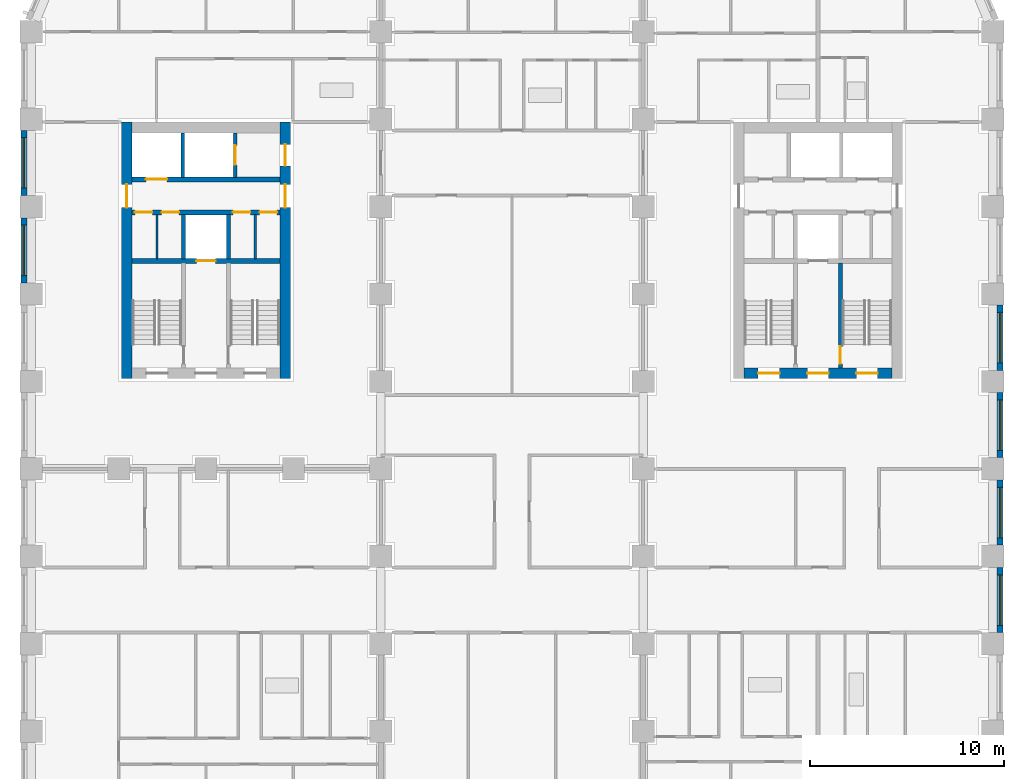
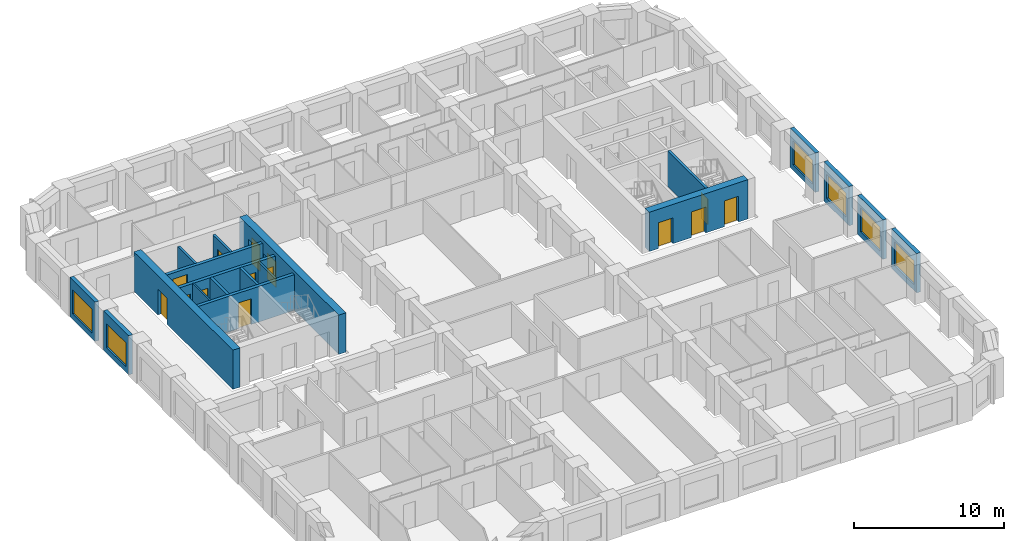
# One storey, part 6 of 13: 19 walls, 14 doors, 6 windows, 20 openings.
"""IFC4 building model written with IfcOpenShell, lengths in metres."""

from ifc_helpers import new_model, si_unit, direction, frame, frame_2d, origin, place, context, subcontext, project, spatial, rectangle, extrude, material, layer, layer_set, type_object, element, fill, save


model = new_model("IFC4")

# Units and contexts
model_context = context("Model", 3, precision=1e-05, world=origin(), true_north=direction((0.0, 1.0)))
body_context = subcontext(model_context, "Body", "Model", "MODEL_VIEW")
ifc_project = project(units=[si_unit("LENGTHUNIT", "METRE"), si_unit("AREAUNIT", "SQUARE_METRE"), si_unit("VOLUMEUNIT", "CUBIC_METRE"), si_unit("PLANEANGLEUNIT", "RADIAN"), si_unit("MASSUNIT", "GRAM", prefix="KILO")], contexts=[model_context])

# Site, building, storey
site_placement = place(None, origin())
site = spatial("IfcSite", under=ifc_project, at=site_placement, CompositionType="ELEMENT")
building_placement = place(site_placement, origin())
building = spatial("IfcBuilding", under=site, at=building_placement, Name="Girih Gate Residences", CompositionType="ELEMENT")
storey_placement = place(building_placement, frame((0.0, 0.0, 80.0)))
storey = spatial("IfcBuildingStorey", under=building, at=storey_placement, Name="L21", CompositionType="ELEMENT", Elevation=80.0)

# Wall, opening, door
ifc_material_1 = material(Name="Concrete C60/75", Category="concrete")
ifc_layer_1 = layer(ifc_material_1, 0.550048828125)
ifc_layer_set_1 = layer_set([ifc_layer_1], Name="Core wall RC 550 Concrete C60/75")
wall_type_1 = type_object("IfcWallType", Name="Core wall RC 550 Concrete C60/75", PredefinedType="SOLIDWALL", material=ifc_layer_set_1)
wall_1_placement = place(storey_placement, frame((4.925048828125, 27.14990234375, 0.0), z_axis=(0.0, 0.0, 1.0), x_axis=(0.0, 1.0, 0.0)))
wall_1 = element("IfcWall", 1, at=wall_1_placement, inside=storey, type_object=wall_type_1, Name="Core wall W-W L21", PredefinedType="SOLIDWALL", context=body_context, shape_type="SweptSolid", body=[
    extrude(rectangle(XDim=13.2001953125, YDim=0.550048828125, at=frame_2d((6.60009765625, 0.0))), origin(), (0.0, 0.0, 1.0), 3.199951171875),
])
opening_1_placement = place(wall_1_placement, frame((8.800048828125, 0.0, 0.0)))
opening_1 = element("IfcOpeningElement", 2, at=opening_1_placement, cuts=wall_1, Name="Opening D-L21-W-014", PredefinedType="OPENING", context=body_context, shape_type="SweptSolid", body=[
    extrude(rectangle(XDim=1.199951171875, YDim=2.10009765625, at=frame_2d((0.60009765625, 1.050048828125))), frame((0.0, 0.284912109375, 0.0), z_axis=(0.0, -1.0, 0.0), x_axis=(1.0, 0.0, 0.0)), (0.0, 0.0, 1.0), 0.570068359375),
])
ifc_material_2 = material(Name="Painted steel, fire-resisting", Category="steel")
door_type_1 = type_object("IfcDoorType", Name="Fire door 1200x2100", OperationType="SINGLE_SWING_LEFT", PredefinedType="DOOR", material=ifc_material_2)
door_1_placement = place(opening_1_placement, origin())
door_1 = element("IfcDoor", 3, at=door_1_placement, inside=storey, type_object=door_type_1, Name="L21 W core door ll-w", OperationType="SINGLE_SWING_LEFT", OverallHeight=2.10009765625, OverallWidth=1.199951171875, PredefinedType="DOOR", context=body_context, shape_type="SweptSolid", body=[
    extrude(rectangle(XDim=1.199951171875, YDim=2.10009765625, at=frame_2d((0.60009765625, 1.050048828125))), frame((0.0, 0.02490234375, 0.0), z_axis=(0.0, -1.0, 0.0), x_axis=(1.0, 0.0, 0.0)), (0.0, 0.0, 1.0), 0.050048828125),
])
fill(opening_1, door_1)

# Wall, openings, doors
wall_2_placement = place(storey_placement, frame((13.074951171875, 27.14990234375, 0.0), z_axis=(0.0, 0.0, 1.0), x_axis=(0.0, 1.0, 0.0)))
wall_2 = element("IfcWall", 4, at=wall_2_placement, inside=storey, type_object=wall_type_1, Name="Core wall W-E L21", PredefinedType="SOLIDWALL", context=body_context, shape_type="SweptSolid", body=[
    extrude(rectangle(XDim=13.2001953125, YDim=0.550048828125, at=frame_2d((6.60009765625, 0.0))), origin(), (0.0, 0.0, 1.0), 3.199951171875),
])
opening_2_placement = place(wall_2_placement, frame((10.949951171875, 0.0, 0.0)))
opening_2 = element("IfcOpeningElement", 5, at=opening_2_placement, cuts=wall_2, Name="Opening D-L21-W-013", PredefinedType="OPENING", context=body_context, shape_type="SweptSolid", body=[
    extrude(rectangle(XDim=1.10009765625, YDim=2.10009765625, at=frame_2d((0.550048828125, 1.050048828125))), frame((0.0, 0.284912109375, 0.0), z_axis=(0.0, -1.0, 0.0), x_axis=(1.0, 0.0, 0.0)), (0.0, 0.0, 1.0), 0.570068359375),
])
opening_3_placement = place(wall_2_placement, frame((8.800048828125, 0.0, 0.0)))
opening_3 = element("IfcOpeningElement", 6, at=opening_3_placement, cuts=wall_2, Name="Opening D-L21-W-015", PredefinedType="OPENING", context=body_context, shape_type="SweptSolid", body=[
    extrude(rectangle(XDim=1.199951171875, YDim=2.10009765625, at=frame_2d((0.60009765625, 1.050048828125))), frame((0.0, 0.284912109375, 0.0), z_axis=(0.0, -1.0, 0.0), x_axis=(1.0, 0.0, 0.0)), (0.0, 0.0, 1.0), 0.570068359375),
])
door_type_2 = type_object("IfcDoorType", Name="Fire door 1100x2100", OperationType="SINGLE_SWING_LEFT", PredefinedType="DOOR", material=ifc_material_2)
door_2_placement = place(opening_2_placement, origin())
door_2 = element("IfcDoor", 7, at=door_2_placement, inside=storey, type_object=door_type_2, Name="L21 W core door ffl2-e", OperationType="SINGLE_SWING_LEFT", OverallHeight=2.10009765625, OverallWidth=1.10009765625, PredefinedType="DOOR", context=body_context, shape_type="SweptSolid", body=[
    extrude(rectangle(XDim=1.10009765625, YDim=2.10009765625, at=frame_2d((0.550048828125, 1.050048828125))), frame((0.0, 0.02490234375, 0.0), z_axis=(0.0, -1.0, 0.0), x_axis=(1.0, 0.0, 0.0)), (0.0, 0.0, 1.0), 0.050048828125),
])
fill(opening_2, door_2)
door_3_placement = place(opening_3_placement, origin())
door_3 = element("IfcDoor", 8, at=door_3_placement, inside=storey, type_object=door_type_1, Name="L21 W core door ll-e", OperationType="SINGLE_SWING_LEFT", OverallHeight=2.10009765625, OverallWidth=1.199951171875, PredefinedType="DOOR", context=body_context, shape_type="SweptSolid", body=[
    extrude(rectangle(XDim=1.199951171875, YDim=2.10009765625, at=frame_2d((0.60009765625, 1.050048828125))), frame((0.0, 0.02490234375, 0.0), z_axis=(0.0, -1.0, 0.0), x_axis=(1.0, 0.0, 0.0)), (0.0, 0.0, 1.0), 0.050048828125),
])
fill(opening_3, door_3)

wall_3_placement = place(storey_placement, frame((36.699951171875, 27.425048828125, 0.0), z_axis=(0.0, 0.0, 1.0), x_axis=(1.0, 0.0, 0.0)))
wall_3 = element("IfcWall", 9, at=wall_3_placement, inside=storey, type_object=wall_type_1, Name="Core wall E-S L21", PredefinedType="SOLIDWALL", context=body_context, shape_type="SweptSolid", body=[
    extrude(rectangle(XDim=7.60009765625, YDim=0.550048828125, at=frame_2d((3.800048828125, 0.0))), origin(), (0.0, 0.0, 1.0), 3.199951171875),
])
opening_4_placement = place(wall_3_placement, frame((5.77490234375, 0.0, 0.0)))
opening_4 = element("IfcOpeningElement", 10, at=opening_4_placement, cuts=wall_3, Name="Opening D-L21-E-011", PredefinedType="OPENING", context=body_context, shape_type="SweptSolid", body=[
    extrude(rectangle(XDim=1.10009765625, YDim=2.10009765625, at=frame_2d((0.550048828125, 1.050048828125))), frame((0.0, 0.284912109375, 0.0), z_axis=(0.0, -1.0, 0.0), x_axis=(1.0, 0.0, 0.0)), (0.0, 0.0, 1.0), 0.570068359375),
])
opening_5_placement = place(wall_3_placement, frame((3.25, 0.0, 0.0)))
opening_5 = element("IfcOpeningElement", 11, at=opening_5_placement, cuts=wall_3, Name="Opening D-L21-E-012", PredefinedType="OPENING", context=body_context, shape_type="SweptSolid", body=[
    extrude(rectangle(XDim=1.10009765625, YDim=2.10009765625, at=frame_2d((0.550048828125, 1.050048828125))), frame((0.0, 0.284912109375, 0.0), z_axis=(0.0, -1.0, 0.0), x_axis=(1.0, 0.0, 0.0)), (0.0, 0.0, 1.0), 0.570068359375),
])
opening_6_placement = place(wall_3_placement, frame((0.72509765625, 0.0, 0.0)))
opening_6 = element("IfcOpeningElement", 12, at=opening_6_placement, cuts=wall_3, Name="Opening D-L21-E-013", PredefinedType="OPENING", context=body_context, shape_type="SweptSolid", body=[
    extrude(rectangle(XDim=1.10009765625, YDim=2.10009765625, at=frame_2d((0.550048828125, 1.050048828125))), frame((0.0, 0.284912109375, 0.0), z_axis=(0.0, -1.0, 0.0), x_axis=(1.0, 0.0, 0.0)), (0.0, 0.0, 1.0), 0.570068359375),
])
door_4_placement = place(opening_4_placement, origin())
door_4 = element("IfcDoor", 13, at=door_4_placement, inside=storey, type_object=door_type_2, Name="L21 E core door sta-out", OperationType="SINGLE_SWING_LEFT", OverallHeight=2.10009765625, OverallWidth=1.10009765625, PredefinedType="DOOR", context=body_context, shape_type="SweptSolid", body=[
    extrude(rectangle(XDim=1.10009765625, YDim=2.10009765625, at=frame_2d((0.550048828125, 1.050048828125))), frame((0.0, 0.02490234375, 0.0), z_axis=(0.0, -1.0, 0.0), x_axis=(1.0, 0.0, 0.0)), (0.0, 0.0, 1.0), 0.050048828125),
])
fill(opening_4, door_4)
door_5_placement = place(opening_5_placement, origin())
door_5 = element("IfcDoor", 14, at=door_5_placement, inside=storey, type_object=door_type_2, Name="L21 E core door ffl-out", OperationType="SINGLE_SWING_LEFT", OverallHeight=2.10009765625, OverallWidth=1.10009765625, PredefinedType="DOOR", context=body_context, shape_type="SweptSolid", body=[
    extrude(rectangle(XDim=1.10009765625, YDim=2.10009765625, at=frame_2d((0.550048828125, 1.050048828125))), frame((0.0, 0.02490234375, 0.0), z_axis=(0.0, -1.0, 0.0), x_axis=(1.0, 0.0, 0.0)), (0.0, 0.0, 1.0), 0.050048828125),
])
fill(opening_5, door_5)
door_6_placement = place(opening_6_placement, origin())
door_6 = element("IfcDoor", 15, at=door_6_placement, inside=storey, type_object=door_type_2, Name="L21 E core door stb-out", OperationType="SINGLE_SWING_LEFT", OverallHeight=2.10009765625, OverallWidth=1.10009765625, PredefinedType="DOOR", context=body_context, shape_type="SweptSolid", body=[
    extrude(rectangle(XDim=1.10009765625, YDim=2.10009765625, at=frame_2d((0.550048828125, 1.050048828125))), frame((0.0, 0.02490234375, 0.0), z_axis=(0.0, -1.0, 0.0), x_axis=(1.0, 0.0, 0.0)), (0.0, 0.0, 1.0), 0.050048828125),
])
fill(opening_6, door_6)

# Wall, opening, door
ifc_material_3 = material(Name="Concrete C40/50", Category="concrete")
ifc_layer_2 = layer(ifc_material_3, 0.25)
ifc_layer_set_2 = layer_set([ifc_layer_2], Name="Lift shaft wall 250")
wall_type_2 = type_object("IfcWallType", Name="Lift shaft wall 250", PredefinedType="SOLIDWALL", material=ifc_layer_set_2)
wall_4_placement = place(storey_placement, frame((5.199951171875, 33.199951171875, 0.0), z_axis=(0.0, 0.0, 1.0), x_axis=(1.0, 0.0, 0.0)))
wall_4 = element("IfcWall", 16, at=wall_4_placement, inside=storey, type_object=wall_type_2, Name="L21 W core wall H1", PredefinedType="SOLIDWALL", context=body_context, shape_type="SweptSolid", body=[
    extrude(rectangle(XDim=7.60009765625, YDim=0.25, at=frame_2d((3.800048828125, 0.0))), origin(), (0.0, 0.0, 1.0), 2.89990234375),
])
opening_7_placement = place(wall_4_placement, frame((3.300048828125, 0.0, 0.0)))
opening_7 = element("IfcOpeningElement", 17, at=opening_7_placement, cuts=wall_4, Name="Opening D-L21-W-005", PredefinedType="OPENING", context=body_context, shape_type="SweptSolid", body=[
    extrude(rectangle(XDim=1.0, YDim=2.10009765625, at=frame_2d((0.5, 1.050048828125))), frame((0.0, 0.135009765625, 0.0), z_axis=(0.0, -1.0, 0.0), x_axis=(1.0, 0.0, 0.0)), (0.0, 0.0, 1.0), 0.27001953125),
])
ifc_material_4 = material(Name="Stainless steel, fire-resisting", Category="steel")
door_type_3 = type_object("IfcDoorType", Name="Firefighting lift landing door 1000x2100", OperationType="SLIDING_TO_LEFT", PredefinedType="DOOR", material=ifc_material_4)
door_7_placement = place(opening_7_placement, origin())
door_7 = element("IfcDoor", 18, at=door_7_placement, inside=storey, type_object=door_type_3, Name="L21 lift FF-W landing door", OperationType="SLIDING_TO_LEFT", OverallHeight=2.10009765625, OverallWidth=1.0, PredefinedType="DOOR", context=body_context, shape_type="SweptSolid", body=[
    extrude(rectangle(XDim=1.0, YDim=2.10009765625, at=frame_2d((0.5, 1.050048828125))), frame((0.0, 0.02490234375, 0.0), z_axis=(0.0, -1.0, 0.0), x_axis=(1.0, 0.0, 0.0)), (0.0, 0.0, 1.0), 0.050048828125),
])
fill(opening_7, door_7)

# Wall, openings, doors
wall_5_placement = place(storey_placement, frame((5.199951171875, 35.699951171875, 0.0), z_axis=(0.0, 0.0, 1.0), x_axis=(1.0, 0.0, 0.0)))
wall_5 = element("IfcWall", 19, at=wall_5_placement, inside=storey, type_object=wall_type_2, Name="L21 W core wall H2", PredefinedType="SOLIDWALL", context=body_context, shape_type="SweptSolid", body=[
    extrude(rectangle(XDim=7.60009765625, YDim=0.25, at=frame_2d((3.800048828125, 0.0))), origin(), (0.0, 0.0, 1.0), 2.89990234375),
])
opening_8_placement = place(wall_5_placement, frame((0.137451171875, 0.0, 0.0)))
opening_8 = element("IfcOpeningElement", 20, at=opening_8_placement, cuts=wall_5, Name="Opening D-L21-W-006", PredefinedType="OPENING", context=body_context, shape_type="SweptSolid", body=[
    extrude(rectangle(XDim=0.89990234375, YDim=2.10009765625, at=frame_2d((0.449951171875, 1.050048828125))), frame((0.0, 0.135009765625, 0.0), z_axis=(0.0, -1.0, 0.0), x_axis=(1.0, 0.0, 0.0)), (0.0, 0.0, 1.0), 0.27001953125),
])
opening_9_placement = place(wall_5_placement, frame((1.512451171875, 0.0, 0.0)))
opening_9 = element("IfcOpeningElement", 21, at=opening_9_placement, cuts=wall_5, Name="Opening D-L21-W-007", PredefinedType="OPENING", context=body_context, shape_type="SweptSolid", body=[
    extrude(rectangle(XDim=0.89990234375, YDim=2.10009765625, at=frame_2d((0.449951171875, 1.050048828125))), frame((0.0, 0.135009765625, 0.0), z_axis=(0.0, -1.0, 0.0), x_axis=(1.0, 0.0, 0.0)), (0.0, 0.0, 1.0), 0.27001953125),
])
opening_10_placement = place(wall_5_placement, frame((5.1875, 0.0, 0.0)))
opening_10 = element("IfcOpeningElement", 22, at=opening_10_placement, cuts=wall_5, Name="Opening D-L21-W-008", PredefinedType="OPENING", context=body_context, shape_type="SweptSolid", body=[
    extrude(rectangle(XDim=0.89990234375, YDim=2.10009765625, at=frame_2d((0.449951171875, 1.050048828125))), frame((0.0, 0.135009765625, 0.0), z_axis=(0.0, -1.0, 0.0), x_axis=(1.0, 0.0, 0.0)), (0.0, 0.0, 1.0), 0.27001953125),
])
opening_11_placement = place(wall_5_placement, frame((6.5625, 0.0, 0.0)))
opening_11 = element("IfcOpeningElement", 23, at=opening_11_placement, cuts=wall_5, Name="Opening D-L21-W-009", PredefinedType="OPENING", context=body_context, shape_type="SweptSolid", body=[
    extrude(rectangle(XDim=0.89990234375, YDim=2.10009765625, at=frame_2d((0.449951171875, 1.050048828125))), frame((0.0, 0.135009765625, 0.0), z_axis=(0.0, -1.0, 0.0), x_axis=(1.0, 0.0, 0.0)), (0.0, 0.0, 1.0), 0.27001953125),
])
door_type_4 = type_object("IfcDoorType", Name="Fire door 900x2100", OperationType="SINGLE_SWING_LEFT", PredefinedType="DOOR", material=ifc_material_2)
door_8_placement = place(opening_8_placement, origin())
door_8 = element("IfcDoor", 24, at=door_8_placement, inside=storey, type_object=door_type_4, Name="L21 W riser room door", OperationType="SINGLE_SWING_LEFT", OverallHeight=2.10009765625, OverallWidth=0.89990234375, PredefinedType="DOOR", context=body_context, shape_type="SweptSolid", body=[
    extrude(rectangle(XDim=0.89990234375, YDim=2.10009765625, at=frame_2d((0.449951171875, 1.050048828125))), frame((0.0, 0.02490234375, 0.0), z_axis=(0.0, -1.0, 0.0), x_axis=(1.0, 0.0, 0.0)), (0.0, 0.0, 1.0), 0.050048828125),
])
fill(opening_8, door_8)
door_9_placement = place(opening_9_placement, origin())
door_9 = element("IfcDoor", 25, at=door_9_placement, inside=storey, type_object=door_type_4, Name="L21 W linen store door", OperationType="SINGLE_SWING_LEFT", OverallHeight=2.10009765625, OverallWidth=0.89990234375, PredefinedType="DOOR", context=body_context, shape_type="SweptSolid", body=[
    extrude(rectangle(XDim=0.89990234375, YDim=2.10009765625, at=frame_2d((0.449951171875, 1.050048828125))), frame((0.0, 0.02490234375, 0.0), z_axis=(0.0, -1.0, 0.0), x_axis=(1.0, 0.0, 0.0)), (0.0, 0.0, 1.0), 0.050048828125),
])
fill(opening_9, door_9)
door_10_placement = place(opening_10_placement, origin())
door_10 = element("IfcDoor", 26, at=door_10_placement, inside=storey, type_object=door_type_4, Name="L21 W linen store door", OperationType="SINGLE_SWING_LEFT", OverallHeight=2.10009765625, OverallWidth=0.89990234375, PredefinedType="DOOR", context=body_context, shape_type="SweptSolid", body=[
    extrude(rectangle(XDim=0.89990234375, YDim=2.10009765625, at=frame_2d((0.449951171875, 1.050048828125))), frame((0.0, 0.02490234375, 0.0), z_axis=(0.0, -1.0, 0.0), x_axis=(1.0, 0.0, 0.0)), (0.0, 0.0, 1.0), 0.050048828125),
])
fill(opening_10, door_10)
door_11_placement = place(opening_11_placement, origin())
door_11 = element("IfcDoor", 27, at=door_11_placement, inside=storey, type_object=door_type_4, Name="L21 W housekeeping store door", OperationType="SINGLE_SWING_LEFT", OverallHeight=2.10009765625, OverallWidth=0.89990234375, PredefinedType="DOOR", context=body_context, shape_type="SweptSolid", body=[
    extrude(rectangle(XDim=0.89990234375, YDim=2.10009765625, at=frame_2d((0.449951171875, 1.050048828125))), frame((0.0, 0.02490234375, 0.0), z_axis=(0.0, -1.0, 0.0), x_axis=(1.0, 0.0, 0.0)), (0.0, 0.0, 1.0), 0.050048828125),
])
fill(opening_11, door_11)

# Wall, opening, door
wall_6_placement = place(storey_placement, frame((5.199951171875, 37.39990234375, 0.0), z_axis=(0.0, 0.0, 1.0), x_axis=(1.0, 0.0, 0.0)))
wall_6 = element("IfcWall", 28, at=wall_6_placement, inside=storey, type_object=wall_type_2, Name="L21 W core wall H3", PredefinedType="SOLIDWALL", context=body_context, shape_type="SweptSolid", body=[
    extrude(rectangle(XDim=7.60009765625, YDim=0.25, at=frame_2d((3.800048828125, 0.0))), origin(), (0.0, 0.0, 1.0), 2.89990234375),
])
opening_12_placement = place(wall_6_placement, frame((0.699951171875, 0.0, 0.0)))
opening_12 = element("IfcOpeningElement", 29, at=opening_12_placement, cuts=wall_6, Name="Opening D-L21-W-003", PredefinedType="OPENING", context=body_context, shape_type="SweptSolid", body=[
    extrude(rectangle(XDim=1.10009765625, YDim=2.39990234375, at=frame_2d((0.550048828125, 1.199951171875))), frame((0.0, 0.135009765625, 0.0), z_axis=(0.0, -1.0, 0.0), x_axis=(1.0, 0.0, 0.0)), (0.0, 0.0, 1.0), 0.27001953125),
])
ifc_material_5 = material(Name="Stainless steel", Category="steel")
door_type_5 = type_object("IfcDoorType", Name="Lift landing door 1100x2400", OperationType="SLIDING_TO_LEFT", PredefinedType="DOOR", material=ifc_material_5)
door_12_placement = place(opening_12_placement, origin())
door_12 = element("IfcDoor", 30, at=door_12_placement, inside=storey, type_object=door_type_5, Name="L21 lift LR-W1 landing door", OperationType="SLIDING_TO_LEFT", OverallHeight=2.39990234375, OverallWidth=1.10009765625, PredefinedType="DOOR", context=body_context, shape_type="SweptSolid", body=[
    extrude(rectangle(XDim=1.10009765625, YDim=2.39990234375, at=frame_2d((0.550048828125, 1.199951171875))), frame((0.0, 0.02490234375, 0.0), z_axis=(0.0, -1.0, 0.0), x_axis=(1.0, 0.0, 0.0)), (0.0, 0.0, 1.0), 0.050048828125),
])
fill(opening_12, door_12)

# Wall, opening, window
ifc_material_6 = material(Name="Precast concrete C50/60", Category="concrete")
ifc_layer_3 = layer(ifc_material_6, 0.080078125, Name="Outer leaf")
ifc_material_7 = material(Name="Rigid PIR insulation")
ifc_layer_4 = layer(ifc_material_7, 0.14990234375, Name="Insulation")
ifc_material_8 = material(Name="Precast concrete C40/50", Category="concrete")
ifc_layer_5 = layer(ifc_material_8, 0.070068359375, Name="Inner leaf")
ifc_layer_set_3 = layer_set([ifc_layer_3, ifc_layer_4, ifc_layer_5], Name="Precast concrete C50/60 external wall 300")
wall_type_3 = type_object("IfcWallType", Name="Precast concrete C50/60 external wall 300", PredefinedType="SOLIDWALL", material=ifc_layer_set_3)
wall_7_placement = place(storey_placement, frame((49.875, 17.425048828125, 0.0), z_axis=(0.0, 0.0, 1.0), x_axis=(0.0, -1.0, 0.0)))
wall_7 = element("IfcWall", 31, at=wall_7_placement, inside=storey, type_object=wall_type_3, Name="External wall E0495_0045.2", PredefinedType="SOLIDWALL", context=body_context, shape_type="SweptSolid", body=[
    extrude(rectangle(XDim=3.35009765625, YDim=0.300048828125, at=frame_2d((1.675048828125, 0.0))), origin(), (0.0, 0.0, 1.0), 3.199951171875),
])
opening_13_placement = place(wall_7_placement, frame((0.375, 0.0, 0.449951171875)))
opening_13 = element("IfcOpeningElement", 32, at=opening_13_placement, cuts=wall_7, Name="Opening W-1A", PredefinedType="OPENING", context=body_context, shape_type="SweptSolid", body=[
    extrude(rectangle(XDim=2.60009765625, YDim=1.949951171875, at=frame_2d((1.300048828125, 0.97509765625))), frame((0.0, 0.159912109375, 0.0), z_axis=(0.0, -1.0, 0.0), x_axis=(1.0, 0.0, 0.0)), (0.0, 0.0, 1.0), 0.320068359375),
])
ifc_material_9 = material(Name="Double glazing in aluminium frame", Category="aluminium")
window_type = type_object("IfcWindowType", Name="Window W-1A 2600x1950", PartitioningType="SINGLE_PANEL", PredefinedType="WINDOW", material=ifc_material_9)
window_1_placement = place(opening_13_placement, origin())
window_1 = element("IfcWindow", 33, at=window_1_placement, inside=storey, type_object=window_type, Name="Window W-1A E0495_0045.2", OverallHeight=1.949951171875, OverallWidth=2.60009765625, PartitioningType="SINGLE_PANEL", PredefinedType="WINDOW", context=body_context, shape_type="SweptSolid", body=[
    extrude(rectangle(XDim=2.60009765625, YDim=1.949951171875, at=frame_2d((1.300048828125, 0.97509765625))), frame((0.0, 0.030029296875, 0.0), z_axis=(0.0, -1.0, 0.0), x_axis=(1.0, 0.0, 0.0)), (0.0, 0.0, 1.0), 0.06005859375),
])
fill(opening_13, window_1)

wall_8_placement = place(storey_placement, frame((49.875, 21.925048828125, 0.0), z_axis=(0.0, 0.0, 1.0), x_axis=(0.0, -1.0, 0.0)))
wall_8 = element("IfcWall", 34, at=wall_8_placement, inside=storey, type_object=wall_type_3, Name="External wall E0495_0045.3", PredefinedType="SOLIDWALL", context=body_context, shape_type="SweptSolid", body=[
    extrude(rectangle(XDim=3.35009765625, YDim=0.300048828125, at=frame_2d((1.675048828125, 0.0))), origin(), (0.0, 0.0, 1.0), 3.199951171875),
])
opening_14_placement = place(wall_8_placement, frame((0.375, 0.0, 0.449951171875)))
opening_14 = element("IfcOpeningElement", 35, at=opening_14_placement, cuts=wall_8, Name="Opening W-1A", PredefinedType="OPENING", context=body_context, shape_type="SweptSolid", body=[
    extrude(rectangle(XDim=2.60009765625, YDim=1.949951171875, at=frame_2d((1.300048828125, 0.97509765625))), frame((0.0, 0.159912109375, 0.0), z_axis=(0.0, -1.0, 0.0), x_axis=(1.0, 0.0, 0.0)), (0.0, 0.0, 1.0), 0.320068359375),
])
window_2_placement = place(opening_14_placement, origin())
window_2 = element("IfcWindow", 36, at=window_2_placement, inside=storey, type_object=window_type, Name="Window W-1A E0495_0045.3", OverallHeight=1.949951171875, OverallWidth=2.60009765625, PartitioningType="SINGLE_PANEL", PredefinedType="WINDOW", context=body_context, shape_type="SweptSolid", body=[
    extrude(rectangle(XDim=2.60009765625, YDim=1.949951171875, at=frame_2d((1.300048828125, 0.97509765625))), frame((0.0, 0.030029296875, 0.0), z_axis=(0.0, -1.0, 0.0), x_axis=(1.0, 0.0, 0.0)), (0.0, 0.0, 1.0), 0.06005859375),
])
fill(opening_14, window_2)

wall_9_placement = place(storey_placement, frame((49.875, 26.425048828125, 0.0), z_axis=(0.0, 0.0, 1.0), x_axis=(0.0, -1.0, 0.0)))
wall_9 = element("IfcWall", 37, at=wall_9_placement, inside=storey, type_object=wall_type_3, Name="External wall E0495_0045.4", PredefinedType="SOLIDWALL", context=body_context, shape_type="SweptSolid", body=[
    extrude(rectangle(XDim=3.35009765625, YDim=0.300048828125, at=frame_2d((1.675048828125, 0.0))), origin(), (0.0, 0.0, 1.0), 3.199951171875),
])
opening_15_placement = place(wall_9_placement, frame((0.375, 0.0, 0.449951171875)))
opening_15 = element("IfcOpeningElement", 38, at=opening_15_placement, cuts=wall_9, Name="Opening W-1A", PredefinedType="OPENING", context=body_context, shape_type="SweptSolid", body=[
    extrude(rectangle(XDim=2.60009765625, YDim=1.949951171875, at=frame_2d((1.300048828125, 0.97509765625))), frame((0.0, 0.159912109375, 0.0), z_axis=(0.0, -1.0, 0.0), x_axis=(1.0, 0.0, 0.0)), (0.0, 0.0, 1.0), 0.320068359375),
])
window_3_placement = place(opening_15_placement, origin())
window_3 = element("IfcWindow", 39, at=window_3_placement, inside=storey, type_object=window_type, Name="Window W-1A E0495_0045.4", OverallHeight=1.949951171875, OverallWidth=2.60009765625, PartitioningType="SINGLE_PANEL", PredefinedType="WINDOW", context=body_context, shape_type="SweptSolid", body=[
    extrude(rectangle(XDim=2.60009765625, YDim=1.949951171875, at=frame_2d((1.300048828125, 0.97509765625))), frame((0.0, 0.030029296875, 0.0), z_axis=(0.0, -1.0, 0.0), x_axis=(1.0, 0.0, 0.0)), (0.0, 0.0, 1.0), 0.06005859375),
])
fill(opening_15, window_3)

wall_10_placement = place(storey_placement, frame((49.875, 30.925048828125, 0.0), z_axis=(0.0, 0.0, 1.0), x_axis=(0.0, -1.0, 0.0)))
wall_10 = element("IfcWall", 40, at=wall_10_placement, inside=storey, type_object=wall_type_3, Name="External wall E0495_0045.5", PredefinedType="SOLIDWALL", context=body_context, shape_type="SweptSolid", body=[
    extrude(rectangle(XDim=3.35009765625, YDim=0.300048828125, at=frame_2d((1.675048828125, 0.0))), origin(), (0.0, 0.0, 1.0), 3.199951171875),
])
opening_16_placement = place(wall_10_placement, frame((0.375, 0.0, 0.449951171875)))
opening_16 = element("IfcOpeningElement", 41, at=opening_16_placement, cuts=wall_10, Name="Opening W-1A", PredefinedType="OPENING", context=body_context, shape_type="SweptSolid", body=[
    extrude(rectangle(XDim=2.60009765625, YDim=1.949951171875, at=frame_2d((1.300048828125, 0.97509765625))), frame((0.0, 0.159912109375, 0.0), z_axis=(0.0, -1.0, 0.0), x_axis=(1.0, 0.0, 0.0)), (0.0, 0.0, 1.0), 0.320068359375),
])
window_4_placement = place(opening_16_placement, origin())
window_4 = element("IfcWindow", 42, at=window_4_placement, inside=storey, type_object=window_type, Name="Window W-1A E0495_0045.5", OverallHeight=1.949951171875, OverallWidth=2.60009765625, PartitioningType="SINGLE_PANEL", PredefinedType="WINDOW", context=body_context, shape_type="SweptSolid", body=[
    extrude(rectangle(XDim=2.60009765625, YDim=1.949951171875, at=frame_2d((1.300048828125, 0.97509765625))), frame((0.0, 0.030029296875, 0.0), z_axis=(0.0, -1.0, 0.0), x_axis=(1.0, 0.0, 0.0)), (0.0, 0.0, 1.0), 0.06005859375),
])
fill(opening_16, window_4)

wall_11_placement = place(storey_placement, frame((-0.375, 36.574951171875, 0.0), z_axis=(0.0, 0.0, 1.0), x_axis=(0.0, 1.0, 0.0)))
wall_11 = element("IfcWall", 43, at=wall_11_placement, inside=storey, type_object=wall_type_3, Name="External wall W0000_0450.1", PredefinedType="SOLIDWALL", context=body_context, shape_type="SweptSolid", body=[
    extrude(rectangle(XDim=3.35009765625, YDim=0.300048828125, at=frame_2d((1.675048828125, 0.0))), origin(), (0.0, 0.0, 1.0), 3.199951171875),
])
opening_17_placement = place(wall_11_placement, frame((0.375, 0.0, 0.449951171875)))
opening_17 = element("IfcOpeningElement", 44, at=opening_17_placement, cuts=wall_11, Name="Opening W-1A", PredefinedType="OPENING", context=body_context, shape_type="SweptSolid", body=[
    extrude(rectangle(XDim=2.60009765625, YDim=1.949951171875, at=frame_2d((1.300048828125, 0.97509765625))), frame((0.0, 0.159912109375, 0.0), z_axis=(0.0, -1.0, 0.0), x_axis=(1.0, 0.0, 0.0)), (0.0, 0.0, 1.0), 0.320068359375),
])
window_5_placement = place(opening_17_placement, origin())
window_5 = element("IfcWindow", 45, at=window_5_placement, inside=storey, type_object=window_type, Name="Window W-1A W0000_0450.1", OverallHeight=1.949951171875, OverallWidth=2.60009765625, PartitioningType="SINGLE_PANEL", PredefinedType="WINDOW", context=body_context, shape_type="SweptSolid", body=[
    extrude(rectangle(XDim=2.60009765625, YDim=1.949951171875, at=frame_2d((1.300048828125, 0.97509765625))), frame((0.0, 0.030029296875, 0.0), z_axis=(0.0, -1.0, 0.0), x_axis=(1.0, 0.0, 0.0)), (0.0, 0.0, 1.0), 0.06005859375),
])
fill(opening_17, window_5)

wall_12_placement = place(storey_placement, frame((-0.375, 32.074951171875, 0.0), z_axis=(0.0, 0.0, 1.0), x_axis=(0.0, 1.0, 0.0)))
wall_12 = element("IfcWall", 46, at=wall_12_placement, inside=storey, type_object=wall_type_3, Name="External wall W0000_0450.2", PredefinedType="SOLIDWALL", context=body_context, shape_type="SweptSolid", body=[
    extrude(rectangle(XDim=3.35009765625, YDim=0.300048828125, at=frame_2d((1.675048828125, 0.0))), origin(), (0.0, 0.0, 1.0), 3.199951171875),
])
opening_18_placement = place(wall_12_placement, frame((0.375, 0.0, 0.449951171875)))
opening_18 = element("IfcOpeningElement", 47, at=opening_18_placement, cuts=wall_12, Name="Opening W-1A", PredefinedType="OPENING", context=body_context, shape_type="SweptSolid", body=[
    extrude(rectangle(XDim=2.60009765625, YDim=1.949951171875, at=frame_2d((1.300048828125, 0.97509765625))), frame((0.0, 0.159912109375, 0.0), z_axis=(0.0, -1.0, 0.0), x_axis=(1.0, 0.0, 0.0)), (0.0, 0.0, 1.0), 0.320068359375),
])
window_6_placement = place(opening_18_placement, origin())
window_6 = element("IfcWindow", 48, at=window_6_placement, inside=storey, type_object=window_type, Name="Window W-1A W0000_0450.2", OverallHeight=1.949951171875, OverallWidth=2.60009765625, PartitioningType="SINGLE_PANEL", PredefinedType="WINDOW", context=body_context, shape_type="SweptSolid", body=[
    extrude(rectangle(XDim=2.60009765625, YDim=1.949951171875, at=frame_2d((1.300048828125, 0.97509765625))), frame((0.0, 0.030029296875, 0.0), z_axis=(0.0, -1.0, 0.0), x_axis=(1.0, 0.0, 0.0)), (0.0, 0.0, 1.0), 0.06005859375),
])
fill(opening_18, window_6)

# Wall
ifc_layer_6 = layer(ifc_material_3, 0.175048828125)
ifc_layer_set_4 = layer_set([ifc_layer_6], Name="Riser shaft wall 175")
wall_type_4 = type_object("IfcWallType", Name="Riser shaft wall 175", PredefinedType="SOLIDWALL", material=ifc_layer_set_4)
wall_13_placement = place(storey_placement, frame((7.800048828125, 37.5, 0.0), z_axis=(0.0, 0.0, 1.0), x_axis=(0.0, 1.0, 0.0)))
element("IfcWall", 49, at=wall_13_placement, inside=storey, type_object=wall_type_4, Name="L21 W core wall V1c", PredefinedType="SOLIDWALL", context=body_context, shape_type="SweptSolid", body=[
    extrude(rectangle(XDim=2.300048828125, YDim=0.175048828125, at=frame_2d((1.14990234375, 0.0))), origin(), (0.0, 0.0, 1.0), 2.89990234375),
])

# Wall, opening, door
wall_14_placement = place(storey_placement, frame((10.5, 37.5, 0.0), z_axis=(0.0, 0.0, 1.0), x_axis=(0.0, 1.0, 0.0)))
wall_14 = element("IfcWall", 50, at=wall_14_placement, inside=storey, type_object=wall_type_4, Name="L21 W core wall V2c", PredefinedType="SOLIDWALL", context=body_context, shape_type="SweptSolid", body=[
    extrude(rectangle(XDim=2.300048828125, YDim=0.175048828125, at=frame_2d((1.14990234375, 0.0))), origin(), (0.0, 0.0, 1.0), 2.89990234375),
])
opening_19_placement = place(wall_14_placement, frame((0.64990234375, 0.0, 0.0)))
opening_19 = element("IfcOpeningElement", 51, at=opening_19_placement, cuts=wall_14, Name="Opening D-L21-W-004", PredefinedType="OPENING", context=body_context, shape_type="SweptSolid", body=[
    extrude(rectangle(XDim=1.0, YDim=2.10009765625, at=frame_2d((0.5, 1.050048828125))), frame((0.0, 0.097412109375, 0.0), z_axis=(0.0, -1.0, 0.0), x_axis=(1.0, 0.0, 0.0)), (0.0, 0.0, 1.0), 0.195068359375),
])
door_13_placement = place(opening_19_placement, origin())
door_13 = element("IfcDoor", 52, at=door_13_placement, inside=storey, type_object=door_type_3, Name="L21 lift FF-W2 landing door", OperationType="SLIDING_TO_LEFT", OverallHeight=2.10009765625, OverallWidth=1.0, PredefinedType="DOOR", context=body_context, shape_type="SweptSolid", body=[
    extrude(rectangle(XDim=1.0, YDim=2.10009765625, at=frame_2d((0.5, 1.050048828125))), frame((0.0, 0.02490234375, 0.0), z_axis=(0.0, -1.0, 0.0), x_axis=(1.0, 0.0, 0.0)), (0.0, 0.0, 1.0), 0.050048828125),
])
fill(opening_19, door_13)

# Walls
ifc_layer_7 = layer(ifc_material_3, 0.199951171875)
ifc_layer_set_5 = layer_set([ifc_layer_7], Name="Shaft wall 200")
wall_type_5 = type_object("IfcWallType", Name="Shaft wall 200", PredefinedType="SOLIDWALL", material=ifc_layer_set_5)
for number, where, z_axis, x_axis, name in (
    (53, (7.85009765625, 33.300048828125, 0.0), (0.0, 0.0, 1.0), (0.0, 1.0, 0.0), "L21 W core wall V1b"),
    (54, (10.14990234375, 33.300048828125, 0.0), (0.0, 0.0, 1.0), (0.0, 1.0, 0.0), "L21 W core wall V2b"),
):
    element("IfcWall", number, at=place(storey_placement, frame(where, z_axis=z_axis, x_axis=x_axis)), inside=storey, type_object=wall_type_5, Name=name, PredefinedType="SOLIDWALL", context=body_context, shape_type="SweptSolid", body=[
        extrude(rectangle(XDim=2.300048828125, YDim=0.199951171875, at=frame_2d((1.14990234375, 0.0))), origin(), (0.0, 0.0, 1.0), 2.89990234375),
    ])

# Wall, opening, door
wall_15_placement = place(storey_placement, frame((41.64990234375, 27.699951171875, 0.0), z_axis=(0.0, 0.0, 1.0), x_axis=(0.0, 1.0, 0.0)))
wall_15 = element("IfcWall", 55, at=wall_15_placement, inside=storey, type_object=wall_type_5, Name="L21 E core wall V1a", PredefinedType="SOLIDWALL", context=body_context, shape_type="SweptSolid", body=[
    extrude(rectangle(XDim=5.400146484375, YDim=0.199951171875, at=frame_2d((2.7001953125, 0.0))), origin(), (0.0, 0.0, 1.0), 2.89990234375),
])
opening_20_placement = place(wall_15_placement, frame((0.199951171875, 0.0, 0.0)))
opening_20 = element("IfcOpeningElement", 56, at=opening_20_placement, cuts=wall_15, Name="Opening D-L21-E-001", PredefinedType="OPENING", context=body_context, shape_type="SweptSolid", body=[
    extrude(rectangle(XDim=0.89990234375, YDim=2.10009765625, at=frame_2d((0.449951171875, 1.050048828125))), frame((0.0, 0.10986328125, 0.0), z_axis=(0.0, -1.0, 0.0), x_axis=(1.0, 0.0, 0.0)), (0.0, 0.0, 1.0), 0.219970703125),
])
door_14_placement = place(opening_20_placement, origin())
door_14 = element("IfcDoor", 57, at=door_14_placement, inside=storey, type_object=door_type_4, Name="L21 E door stair 1 to firefighting lobby", OperationType="SINGLE_SWING_LEFT", OverallHeight=2.10009765625, OverallWidth=0.89990234375, PredefinedType="DOOR", context=body_context, shape_type="SweptSolid", body=[
    extrude(rectangle(XDim=0.89990234375, YDim=2.10009765625, at=frame_2d((0.449951171875, 1.050048828125))), frame((0.0, 0.02490234375, 0.0), z_axis=(0.0, -1.0, 0.0), x_axis=(1.0, 0.0, 0.0)), (0.0, 0.0, 1.0), 0.050048828125),
])
fill(opening_20, door_14)

# Walls
ifc_material_10 = material(Name="Calcium silicate blockwork", Category="masonry")
ifc_layer_8 = layer(ifc_material_10, 0.125)
ifc_layer_set_6 = layer_set([ifc_layer_8], Name="Store partition 125")
wall_type_6 = type_object("IfcWallType", Name="Store partition 125", PredefinedType="PARTITIONING", material=ifc_layer_set_6)
for number, where, z_axis, x_axis, name in (
    (58, (6.47509765625, 33.300048828125, 0.0), (0.0, 0.0, 1.0), (0.0, 1.0, 0.0), "L21 W core wall SHR1"),
    (59, (11.52490234375, 33.300048828125, 0.0), (0.0, 0.0, 1.0), (0.0, 1.0, 0.0), "L21 W core wall SHR2"),
):
    element("IfcWall", number, at=place(storey_placement, frame(where, z_axis=z_axis, x_axis=x_axis)), inside=storey, type_object=wall_type_6, Name=name, PredefinedType="PARTITIONING", context=body_context, shape_type="SweptSolid", body=[
        extrude(rectangle(XDim=2.300048828125, YDim=0.125, at=frame_2d((1.14990234375, 0.0))), origin(), (0.0, 0.0, 1.0), 2.89990234375),
    ])

save(model, "model.ifc")
